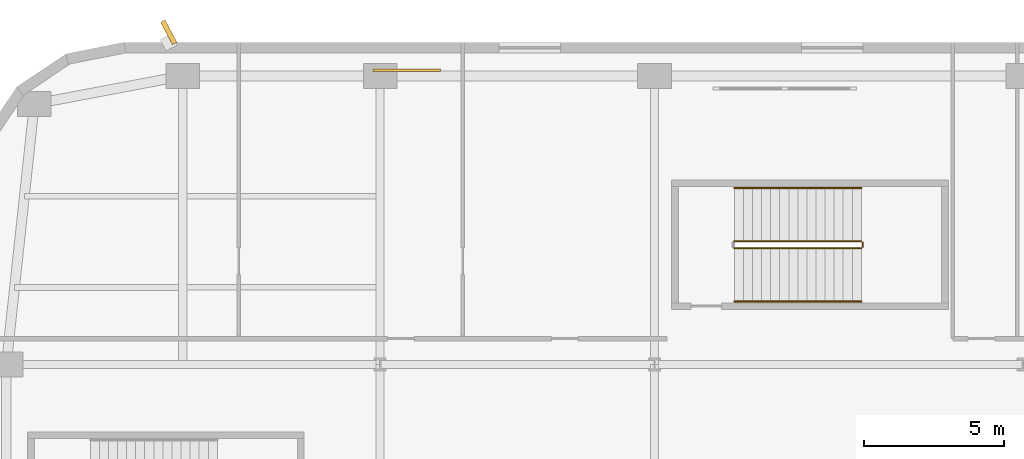
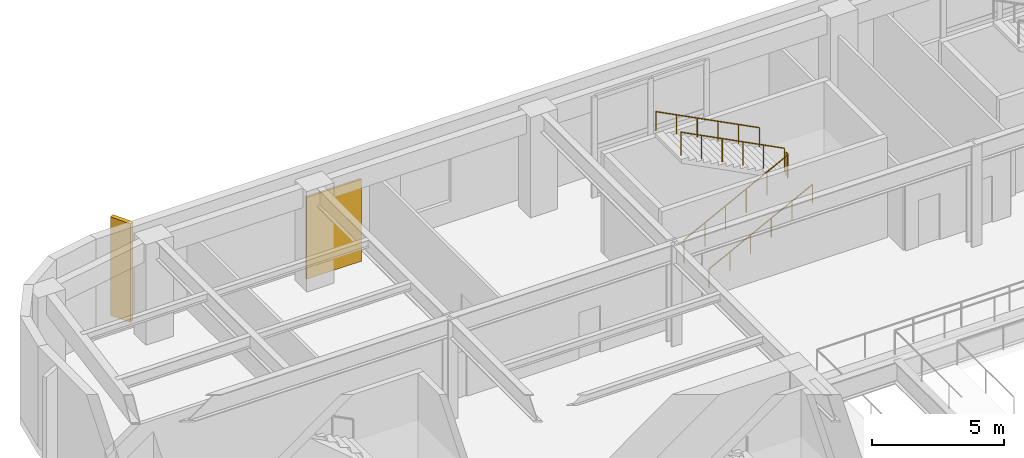
# One storey, part 18 of 21: 5 railings, 1 covering, 1 shading device.
"""IFC4 building model written with IfcOpenShell, lengths in metres."""

from ifc_helpers import new_model, si_unit, direction, frame, origin, origin_2d, place, context, subcontext, project, spatial, rectangle, circle, extrude, material, layer, layer_set, type_object, element, save


model = new_model("IFC4")

# Units and contexts
model_context = context("Model", 3, precision=1e-05, world=origin(), true_north=direction((0.0, 1.0)))
body_context = subcontext(model_context, "Body", "Model", "MODEL_VIEW")
ifc_project = project(units=[si_unit("LENGTHUNIT", "METRE"), si_unit("AREAUNIT", "SQUARE_METRE"), si_unit("VOLUMEUNIT", "CUBIC_METRE"), si_unit("PLANEANGLEUNIT", "RADIAN"), si_unit("MASSUNIT", "GRAM", prefix="KILO")], contexts=[model_context])

# Site, building, storey
site_placement = place(None, origin())
site = spatial("IfcSite", under=ifc_project, at=site_placement, CompositionType="ELEMENT")
building_placement = place(site_placement, origin())
building = spatial("IfcBuilding", under=site, at=building_placement, Name="Kolvaren Arena Tower", CompositionType="ELEMENT")
storey_placement = place(building_placement, frame((0.0, 0.0, 18.0)))
storey = spatial("IfcBuildingStorey", under=building, at=storey_placement, Name="L03", CompositionType="ELEMENT", Elevation=18.0)

# Covering
ifc_material_1 = material(Name="Reconstituted Ontario limestone cladding panel", Category="masonry")
ifc_layer = layer(ifc_material_1, 0.0849609375)
ifc_layer_set = layer_set([ifc_layer], Name="Reconstituted Ontario limestone cladding panel")
covering_type = type_object("IfcCoveringType", Name="CLAD-PRC-1", PredefinedType="CLADDING", material=ifc_layer_set)
covering_placement = place(storey_placement, frame((15.5, 53.5, 0.10009765625), z_axis=(0.0, 0.0, 1.0), x_axis=(1.0, 0.0, 0.0)))
element("IfcCovering", 1, at=covering_placement, inside=storey, type_object=covering_type, Name="Limestone Spandrel Cladding Panel 5 (L03)", PredefinedType="CLADDING", context=body_context, shape_type="SweptSolid", body=[
    extrude(rectangle(XDim=2.39990234375, YDim=0.0849609375, at=origin_2d()), origin(), (0.0, 0.0, 1.0), 3.800048828125),
])

# Railings
ifc_material_2 = material(Name="Painted galvanized steel", Category="steel")
railing_type_1 = type_object("IfcRailingType", Name="GUARD-ST-110", PredefinedType="GUARDRAIL", material=ifc_material_2)
railing_1_placement = place(storey_placement, frame((27.199951171875, 47.14990234375, 0.166748046875)))
element("IfcRailing", 2, at=railing_1_placement, inside=storey, type_object=railing_type_1, Name="L03 ST-A6 stair guard 1", PredefinedType="GUARDRAIL", context=body_context, shape_type="SweptSolid", body=[
    extrude(circle(Radius=0.02392578125, at=origin_2d()), frame((0.0, 0.0, 1.076171875), z_axis=(0.889257211316, 0.0, 0.457407490234), x_axis=(0.0, 1.0, 0.0)), (0.0, 0.0, 1.0), 5.10107421875),
    extrude(circle(Radius=0.02099609375, at=origin_2d()), origin(), (0.0, 0.0, 1.0), 1.052001953125),
    extrude(circle(Radius=0.02099609375, at=origin_2d()), frame((0.9072265625, 0.0, 0.466552734375)), (0.0, 0.0, 1.0), 1.052001953125),
    extrude(circle(Radius=0.02099609375, at=origin_2d()), frame((1.814453125, 0.0, 0.933349609375)), (0.0, 0.0, 1.0), 1.052001953125),
    extrude(circle(Radius=0.02099609375, at=origin_2d()), frame((2.7216796875, 0.0, 1.39990234375)), (0.0, 0.0, 1.0), 1.052001953125),
    extrude(circle(Radius=0.02099609375, at=origin_2d()), frame((3.62890625, 0.0, 1.86669921875)), (0.0, 0.0, 1.0), 1.052001953125),
    extrude(circle(Radius=0.02099609375, at=origin_2d()), frame((4.5361328125, 0.0, 2.333251953125)), (0.0, 0.0, 1.0), 1.052001953125),
])
railing_2_placement = place(storey_placement, frame((31.785888671875, 47.199951171875, 2.5)))
element("IfcRailing", 3, at=railing_2_placement, inside=storey, type_object=railing_type_1, Name="L03 ST-A6 stair guard 2", PredefinedType="GUARDRAIL", context=body_context, shape_type="SweptSolid", body=[
    extrude(circle(Radius=0.02392578125, at=origin_2d()), frame((0.0, 0.0, 1.076171875), z_axis=(0.0, 1.0, 0.0), x_axis=(-1.0, 0.0, 0.0)), (0.0, 0.0, 1.0), 0.150146484375),
    extrude(circle(Radius=0.02099609375, at=origin_2d()), origin(), (0.0, 0.0, 1.0), 1.052001953125),
    extrude(circle(Radius=0.02099609375, at=origin_2d()), frame((0.0, 0.150146484375, 0.0)), (0.0, 0.0, 1.0), 1.052001953125),
])
railing_3_placement = place(storey_placement, frame((31.736083984375, 47.39990234375, 2.666748046875)))
element("IfcRailing", 4, at=railing_3_placement, inside=storey, type_object=railing_type_1, Name="L03 ST-A6 stair guard 3", PredefinedType="GUARDRAIL", context=body_context, shape_type="SweptSolid", body=[
    extrude(circle(Radius=0.02392578125, at=origin_2d()), frame((0.0, 0.0, 1.076171875), z_axis=(-0.889257211316, 0.0, 0.457407490234), x_axis=(0.0, -1.0, 0.0)), (0.0, 0.0, 1.0), 5.10107421875),
    extrude(circle(Radius=0.02099609375, at=origin_2d()), origin(), (0.0, 0.0, 1.0), 1.052001953125),
    extrude(circle(Radius=0.02099609375, at=origin_2d()), frame((-0.9072265625, 0.0, 0.466552734375)), (0.0, 0.0, 1.0), 1.052001953125),
    extrude(circle(Radius=0.02099609375, at=origin_2d()), frame((-1.814453125, 0.0, 0.933349609375)), (0.0, 0.0, 1.0), 1.052001953125),
    extrude(circle(Radius=0.02099609375, at=origin_2d()), frame((-2.7216796875, 0.0, 1.39990234375)), (0.0, 0.0, 1.0), 1.052001953125),
    extrude(circle(Radius=0.02099609375, at=origin_2d()), frame((-3.62890625, 0.0, 1.86669921875)), (0.0, 0.0, 1.0), 1.052001953125),
    extrude(circle(Radius=0.02099609375, at=origin_2d()), frame((-4.5361328125, 0.0, 2.333251953125)), (0.0, 0.0, 1.0), 1.052001953125),
])
ifc_material_3 = material(Name="Brushed stainless steel handrail", Category="steel")
railing_type_2 = type_object("IfcRailingType", Name="HRAIL-900", PredefinedType="HANDRAIL", material=ifc_material_3)
railing_4_placement = place(storey_placement, frame((27.199951171875, 45.25, 0.166748046875)))
element("IfcRailing", 5, at=railing_4_placement, inside=storey, type_object=railing_type_2, Name="L03 ST-A6 stair handrail 1", PredefinedType="HANDRAIL", context=body_context, shape_type="SweptSolid", body=[
    extrude(circle(Radius=0.02392578125, at=origin_2d()), frame((0.0, 0.0, 0.8759765625), z_axis=(0.889257211316, 0.0, 0.457407490234), x_axis=(0.0, 1.0, 0.0)), (0.0, 0.0, 1.0), 5.10107421875),
    extrude(circle(Radius=0.02099609375, at=origin_2d()), origin(), (0.0, 0.0, 1.0), 0.851806640625),
    extrude(circle(Radius=0.02099609375, at=origin_2d()), frame((0.9072265625, 0.0, 0.466552734375)), (0.0, 0.0, 1.0), 0.851806640625),
    extrude(circle(Radius=0.02099609375, at=origin_2d()), frame((1.814453125, 0.0, 0.933349609375)), (0.0, 0.0, 1.0), 0.851806640625),
    extrude(circle(Radius=0.02099609375, at=origin_2d()), frame((2.7216796875, 0.0, 1.39990234375)), (0.0, 0.0, 1.0), 0.851806640625),
    extrude(circle(Radius=0.02099609375, at=origin_2d()), frame((3.62890625, 0.0, 1.86669921875)), (0.0, 0.0, 1.0), 0.851806640625),
    extrude(circle(Radius=0.02099609375, at=origin_2d()), frame((4.5361328125, 0.0, 2.333251953125)), (0.0, 0.0, 1.0), 0.851806640625),
])
railing_5_placement = place(storey_placement, frame((31.736083984375, 49.300048828125, 2.666748046875)))
element("IfcRailing", 6, at=railing_5_placement, inside=storey, type_object=railing_type_2, Name="L03 ST-A6 stair handrail 2", PredefinedType="HANDRAIL", context=body_context, shape_type="SweptSolid", body=[
    extrude(circle(Radius=0.02392578125, at=origin_2d()), frame((0.0, 0.0, 0.8759765625), z_axis=(-0.889257211316, 0.0, 0.457407490234), x_axis=(0.0, -1.0, 0.0)), (0.0, 0.0, 1.0), 5.10107421875),
    extrude(circle(Radius=0.02099609375, at=origin_2d()), origin(), (0.0, 0.0, 1.0), 0.851806640625),
    extrude(circle(Radius=0.02099609375, at=origin_2d()), frame((-0.9072265625, 0.0, 0.466552734375)), (0.0, 0.0, 1.0), 0.851806640625),
    extrude(circle(Radius=0.02099609375, at=origin_2d()), frame((-1.814453125, 0.0, 0.933349609375)), (0.0, 0.0, 1.0), 0.851806640625),
    extrude(circle(Radius=0.02099609375, at=origin_2d()), frame((-2.7216796875, 0.0, 1.39990234375)), (0.0, 0.0, 1.0), 0.851806640625),
    extrude(circle(Radius=0.02099609375, at=origin_2d()), frame((-3.62890625, 0.0, 1.86669921875)), (0.0, 0.0, 1.0), 0.851806640625),
    extrude(circle(Radius=0.02099609375, at=origin_2d()), frame((-4.5361328125, 0.0, 2.333251953125)), (0.0, 0.0, 1.0), 0.851806640625),
])

# Shading device
ifc_material_4 = material(Name="Precast architectural concrete C50/60 rib fin", Category="concrete")
shading_device_type = type_object("IfcShadingDeviceType", Name="SHAD-FIN-28", PredefinedType="USERDEFINED", material=ifc_material_4)
shading_device_placement = place(storey_placement, frame((7.0, 54.860107421875, 0.02001953125), z_axis=(0.0, 0.0, 1.0), x_axis=(-0.469471562786, 0.882947592859, 0.0)))
element("IfcShadingDevice", 7, at=shading_device_placement, inside=storey, type_object=shading_device_type, Name="Arena Podium 28-Deg Precast Fin (L03)", ObjectType="FIN", PredefinedType="USERDEFINED", context=body_context, shape_type="SweptSolid", body=[
    extrude(rectangle(XDim=0.89990234375, YDim=0.179931640625, at=origin_2d()), origin(), (0.0, 0.0, 1.0), 4.570068359375),
])

save(model, "model.ifc")
